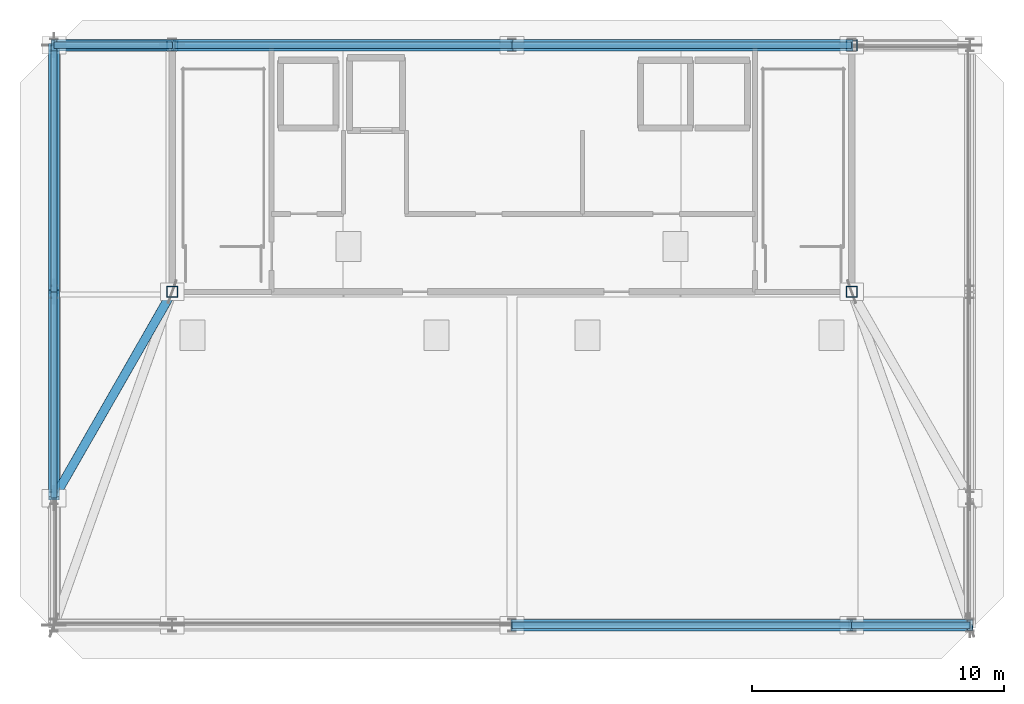
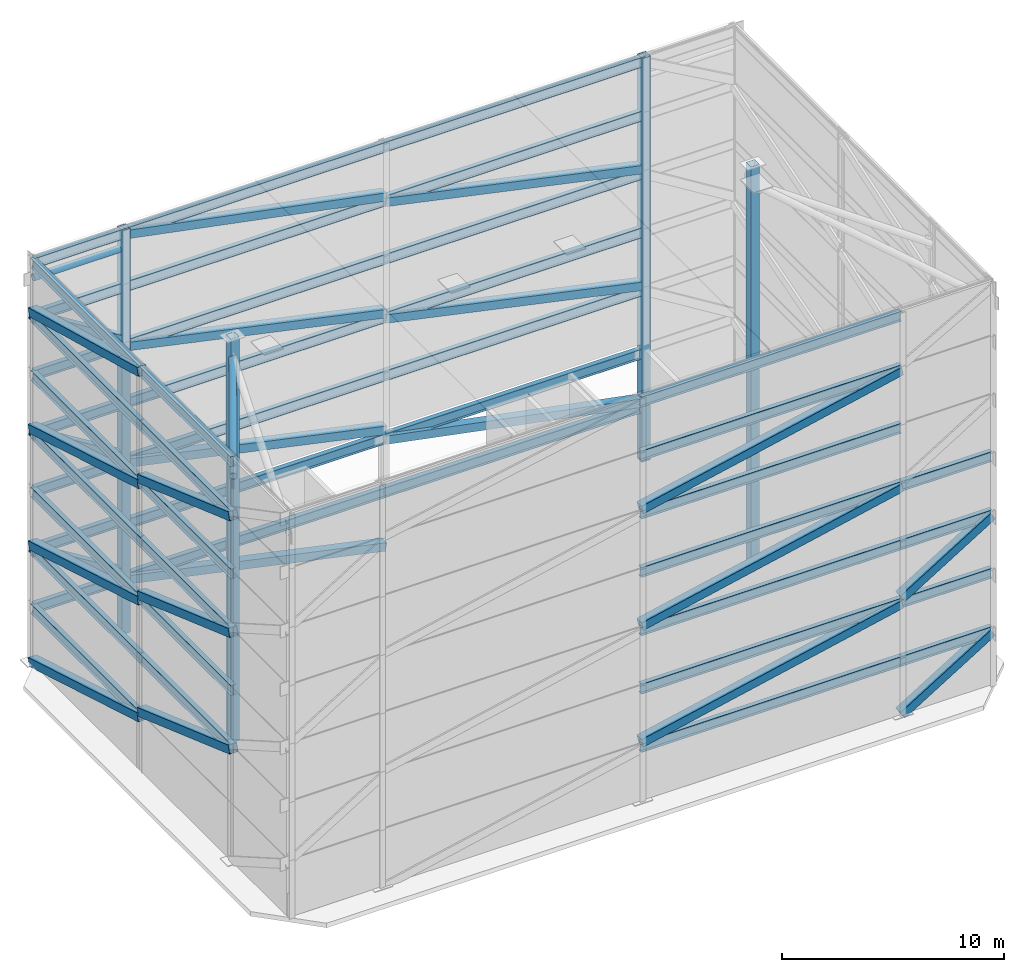
# One storey, part 2 of 8: 45 beams, 28 members.
"""IFC4 building model written with IfcOpenShell, lengths in metres."""

from ifc_helpers import new_model, si_unit, direction, frame, origin, origin_2d, place, context, subcontext, project, spatial, hollow_rectangle, hollow_circle, i_section, extrude, material, material_profile, profile_set, type_object, element, save


model = new_model("IFC4")

# Units and contexts
model_context = context("Model", 3, precision=1e-05, world=origin(), true_north=direction((0.0, 1.0)))
body_context = subcontext(model_context, "Body", "Model", "MODEL_VIEW")
ifc_project = project(units=[si_unit("LENGTHUNIT", "METRE"), si_unit("AREAUNIT", "SQUARE_METRE"), si_unit("VOLUMEUNIT", "CUBIC_METRE"), si_unit("PLANEANGLEUNIT", "RADIAN"), si_unit("MASSUNIT", "GRAM", prefix="KILO")], contexts=[model_context])

# Site, building, storey
site_placement = place(None, origin())
site = spatial("IfcSite", under=ifc_project, at=site_placement, CompositionType="ELEMENT")
building_placement = place(site_placement, origin())
building = spatial("IfcBuilding", under=site, at=building_placement, Name="Haevon Station Towers", CompositionType="ELEMENT")
storey_placement = place(building_placement, frame((0.0, 0.0, 270.0)))
storey = spatial("IfcBuildingStorey", under=building, at=storey_placement, Name="Roof", CompositionType="ELEMENT", Elevation=270.0)

# Beams
ifc_material = material(Name="Steel S355", Category="steel")
ifc_material_profile_1 = material_profile(ifc_material, i_section(OverallWidth=0.25, OverallDepth=0.550048828125, WebThickness=0.011962890625, FlangeThickness=0.02001953125, at=origin_2d()), Name="H-550x250x12x20")
ifc_profile_set_1 = profile_set([ifc_material_profile_1], Name="Steel S355")
beam_type = type_object("IfcBeamType", Name="BM-CRN550", PredefinedType="BEAM", material=ifc_profile_set_1)
beam_1_placement = place(storey_placement, frame((37.5, 24.949951171875, 2.925048828125), z_axis=(1.0, 0.0, 0.0), x_axis=(0.0, 1.0, 0.0)))
element("IfcBeam", 1, at=beam_1_placement, inside=storey, type_object=beam_type, Name="CROWN FRAME Ring Beam T1-03", PredefinedType="BEAM", context=body_context, shape_type="SweptSolid", body=[
    extrude(i_section(OverallWidth=0.25, OverallDepth=0.550048828125, WebThickness=0.011962890625, FlangeThickness=0.02001953125, at=origin_2d()), origin(), (0.0, 0.0, 1.0), 13.5),
])
beam_2_placement = place(storey_placement, frame((51.0, 24.949951171875, 2.925048828125), z_axis=(1.0, 0.0, 0.0), x_axis=(0.0, 1.0, 0.0)))
element("IfcBeam", 2, at=beam_2_placement, inside=storey, type_object=beam_type, Name="CROWN FRAME Ring Beam T1-04", PredefinedType="BEAM", context=body_context, shape_type="SweptSolid", body=[
    extrude(i_section(OverallWidth=0.25, OverallDepth=0.550048828125, WebThickness=0.011962890625, FlangeThickness=0.02001953125, at=origin_2d()), origin(), (0.0, 0.0, 1.0), 4.699951171875),
])
for number, where, z_axis, x_axis, name in (
    (3, (51.0, 48.0, 2.925048828125), (-1.0, 0.0, 0.0), (0.0, -1.0, 0.0), "CROWN FRAME Ring Beam T1-09"),
    (4, (37.5, 48.0, 2.925048828125), (-1.0, 0.0, 0.0), (0.0, -1.0, 0.0), "CROWN FRAME Ring Beam T1-10"),
):
    element("IfcBeam", number, at=place(storey_placement, frame(where, z_axis=z_axis, x_axis=x_axis)), inside=storey, type_object=beam_type, Name=name, PredefinedType="BEAM", context=body_context, shape_type="SweptSolid", body=[
        extrude(i_section(OverallWidth=0.25, OverallDepth=0.550048828125, WebThickness=0.011962890625, FlangeThickness=0.02001953125, at=origin_2d()), origin(), (0.0, 0.0, 1.0), 13.5),
    ])
beam_3_placement = place(storey_placement, frame((24.0, 48.0, 2.925048828125), z_axis=(-1.0, 0.0, 0.0), x_axis=(0.0, -1.0, 0.0)))
element("IfcBeam", 5, at=beam_3_placement, inside=storey, type_object=beam_type, Name="CROWN FRAME Ring Beam T1-11", PredefinedType="BEAM", context=body_context, shape_type="SweptSolid", body=[
    extrude(i_section(OverallWidth=0.25, OverallDepth=0.550048828125, WebThickness=0.011962890625, FlangeThickness=0.02001953125, at=origin_2d()), origin(), (0.0, 0.0, 1.0), 4.699951171875),
])
beam_4_placement = place(storey_placement, frame((19.300048828125, 48.0, 2.925048828125), z_axis=(0.0, -1.0, 0.0), x_axis=(1.0, 0.0, 0.0)))
element("IfcBeam", 6, at=beam_4_placement, inside=storey, type_object=beam_type, Name="CROWN FRAME Ring Beam T1-12", PredefinedType="BEAM", context=body_context, shape_type="SweptSolid", body=[
    extrude(i_section(OverallWidth=0.25, OverallDepth=0.550048828125, WebThickness=0.011962890625, FlangeThickness=0.02001953125, at=origin_2d()), origin(), (0.0, 0.0, 1.0), 9.800048828125),
])
beam_5_placement = place(storey_placement, frame((37.5, 24.949951171875, 6.125), z_axis=(1.0, 0.0, 0.0), x_axis=(0.0, 1.0, 0.0)))
element("IfcBeam", 7, at=beam_5_placement, inside=storey, type_object=beam_type, Name="CROWN FRAME Ring Beam T2-03", PredefinedType="BEAM", context=body_context, shape_type="SweptSolid", body=[
    extrude(i_section(OverallWidth=0.25, OverallDepth=0.550048828125, WebThickness=0.011962890625, FlangeThickness=0.02001953125, at=origin_2d()), origin(), (0.0, 0.0, 1.0), 13.5),
])
beam_6_placement = place(storey_placement, frame((51.0, 24.949951171875, 6.125), z_axis=(1.0, 0.0, 0.0), x_axis=(0.0, 1.0, 0.0)))
element("IfcBeam", 8, at=beam_6_placement, inside=storey, type_object=beam_type, Name="CROWN FRAME Ring Beam T2-04", PredefinedType="BEAM", context=body_context, shape_type="SweptSolid", body=[
    extrude(i_section(OverallWidth=0.25, OverallDepth=0.550048828125, WebThickness=0.011962890625, FlangeThickness=0.02001953125, at=origin_2d()), origin(), (0.0, 0.0, 1.0), 4.699951171875),
])
for number, where, z_axis, x_axis, name in (
    (9, (51.0, 48.0, 5.875), (-1.0, 0.0, 0.0), (0.0, -1.0, 0.0), "CROWN FRAME Ring Beam T2-09"),
    (10, (37.5, 48.0, 5.875), (-1.0, 0.0, 0.0), (0.0, -1.0, 0.0), "CROWN FRAME Ring Beam T2-10"),
):
    element("IfcBeam", number, at=place(storey_placement, frame(where, z_axis=z_axis, x_axis=x_axis)), inside=storey, type_object=beam_type, Name=name, PredefinedType="BEAM", context=body_context, shape_type="SweptSolid", body=[
        extrude(i_section(OverallWidth=0.25, OverallDepth=0.550048828125, WebThickness=0.011962890625, FlangeThickness=0.02001953125, at=origin_2d()), origin(), (0.0, 0.0, 1.0), 13.5),
    ])
beam_7_placement = place(storey_placement, frame((24.0, 48.0, 6.125), z_axis=(-1.0, 0.0, 0.0), x_axis=(0.0, -1.0, 0.0)))
element("IfcBeam", 11, at=beam_7_placement, inside=storey, type_object=beam_type, Name="CROWN FRAME Ring Beam T2-11", PredefinedType="BEAM", context=body_context, shape_type="SweptSolid", body=[
    extrude(i_section(OverallWidth=0.25, OverallDepth=0.550048828125, WebThickness=0.011962890625, FlangeThickness=0.02001953125, at=origin_2d()), origin(), (0.0, 0.0, 1.0), 4.699951171875),
])
beam_8_placement = place(storey_placement, frame((19.300048828125, 48.0, 6.125), z_axis=(0.0, -1.0, 0.0), x_axis=(1.0, 0.0, 0.0)))
element("IfcBeam", 12, at=beam_8_placement, inside=storey, type_object=beam_type, Name="CROWN FRAME Ring Beam T2-12", PredefinedType="BEAM", context=body_context, shape_type="SweptSolid", body=[
    extrude(i_section(OverallWidth=0.25, OverallDepth=0.550048828125, WebThickness=0.011962890625, FlangeThickness=0.02001953125, at=origin_2d()), origin(), (0.0, 0.0, 1.0), 9.800048828125),
])
beam_9_placement = place(storey_placement, frame((19.300048828125, 38.199951171875, 6.125), z_axis=(0.0, -1.0, 0.0), x_axis=(1.0, 0.0, 0.0)))
element("IfcBeam", 13, at=beam_9_placement, inside=storey, type_object=beam_type, Name="CROWN FRAME Ring Beam T2-13", PredefinedType="BEAM", context=body_context, shape_type="SweptSolid", body=[
    extrude(i_section(OverallWidth=0.25, OverallDepth=0.550048828125, WebThickness=0.011962890625, FlangeThickness=0.02001953125, at=origin_2d()), origin(), (0.0, 0.0, 1.0), 8.199951171875),
])
beam_10_placement = place(storey_placement, frame((37.5, 24.949951171875, 9.324951171875), z_axis=(1.0, 0.0, 0.0), x_axis=(0.0, 1.0, 0.0)))
element("IfcBeam", 14, at=beam_10_placement, inside=storey, type_object=beam_type, Name="CROWN FRAME Ring Beam T3-03", PredefinedType="BEAM", context=body_context, shape_type="SweptSolid", body=[
    extrude(i_section(OverallWidth=0.25, OverallDepth=0.550048828125, WebThickness=0.011962890625, FlangeThickness=0.02001953125, at=origin_2d()), origin(), (0.0, 0.0, 1.0), 13.5),
])
beam_11_placement = place(storey_placement, frame((51.0, 24.949951171875, 9.324951171875), z_axis=(1.0, 0.0, 0.0), x_axis=(0.0, 1.0, 0.0)))
element("IfcBeam", 15, at=beam_11_placement, inside=storey, type_object=beam_type, Name="CROWN FRAME Ring Beam T3-04", PredefinedType="BEAM", context=body_context, shape_type="SweptSolid", body=[
    extrude(i_section(OverallWidth=0.25, OverallDepth=0.550048828125, WebThickness=0.011962890625, FlangeThickness=0.02001953125, at=origin_2d()), origin(), (0.0, 0.0, 1.0), 4.699951171875),
])
for number, where, z_axis, x_axis, name in (
    (16, (51.0, 48.0, 9.324951171875), (-1.0, 0.0, 0.0), (0.0, -1.0, 0.0), "CROWN FRAME Ring Beam T3-09"),
    (17, (37.5, 48.0, 9.324951171875), (-1.0, 0.0, 0.0), (0.0, -1.0, 0.0), "CROWN FRAME Ring Beam T3-10"),
):
    element("IfcBeam", number, at=place(storey_placement, frame(where, z_axis=z_axis, x_axis=x_axis)), inside=storey, type_object=beam_type, Name=name, PredefinedType="BEAM", context=body_context, shape_type="SweptSolid", body=[
        extrude(i_section(OverallWidth=0.25, OverallDepth=0.550048828125, WebThickness=0.011962890625, FlangeThickness=0.02001953125, at=origin_2d()), origin(), (0.0, 0.0, 1.0), 13.5),
    ])
beam_12_placement = place(storey_placement, frame((24.0, 48.0, 9.324951171875), z_axis=(-1.0, 0.0, 0.0), x_axis=(0.0, -1.0, 0.0)))
element("IfcBeam", 18, at=beam_12_placement, inside=storey, type_object=beam_type, Name="CROWN FRAME Ring Beam T3-11", PredefinedType="BEAM", context=body_context, shape_type="SweptSolid", body=[
    extrude(i_section(OverallWidth=0.25, OverallDepth=0.550048828125, WebThickness=0.011962890625, FlangeThickness=0.02001953125, at=origin_2d()), origin(), (0.0, 0.0, 1.0), 4.699951171875),
])
beam_13_placement = place(storey_placement, frame((19.300048828125, 48.0, 9.324951171875), z_axis=(0.0, -1.0, 0.0), x_axis=(1.0, 0.0, 0.0)))
element("IfcBeam", 19, at=beam_13_placement, inside=storey, type_object=beam_type, Name="CROWN FRAME Ring Beam T3-12", PredefinedType="BEAM", context=body_context, shape_type="SweptSolid", body=[
    extrude(i_section(OverallWidth=0.25, OverallDepth=0.550048828125, WebThickness=0.011962890625, FlangeThickness=0.02001953125, at=origin_2d()), origin(), (0.0, 0.0, 1.0), 9.800048828125),
])
beam_14_placement = place(storey_placement, frame((19.300048828125, 38.199951171875, 9.324951171875), z_axis=(0.0, -1.0, 0.0), x_axis=(1.0, 0.0, 0.0)))
element("IfcBeam", 20, at=beam_14_placement, inside=storey, type_object=beam_type, Name="CROWN FRAME Ring Beam T3-13", PredefinedType="BEAM", context=body_context, shape_type="SweptSolid", body=[
    extrude(i_section(OverallWidth=0.25, OverallDepth=0.550048828125, WebThickness=0.011962890625, FlangeThickness=0.02001953125, at=origin_2d()), origin(), (0.0, 0.0, 1.0), 8.199951171875),
])
beam_15_placement = place(storey_placement, frame((37.5, 24.949951171875, 12.52490234375), z_axis=(1.0, 0.0, 0.0), x_axis=(0.0, 1.0, 0.0)))
element("IfcBeam", 21, at=beam_15_placement, inside=storey, type_object=beam_type, Name="CROWN FRAME Ring Beam T4-03", PredefinedType="BEAM", context=body_context, shape_type="SweptSolid", body=[
    extrude(i_section(OverallWidth=0.25, OverallDepth=0.550048828125, WebThickness=0.011962890625, FlangeThickness=0.02001953125, at=origin_2d()), origin(), (0.0, 0.0, 1.0), 13.5),
])
beam_16_placement = place(storey_placement, frame((51.0, 24.949951171875, 12.52490234375), z_axis=(1.0, 0.0, 0.0), x_axis=(0.0, 1.0, 0.0)))
element("IfcBeam", 22, at=beam_16_placement, inside=storey, type_object=beam_type, Name="CROWN FRAME Ring Beam T4-04", PredefinedType="BEAM", context=body_context, shape_type="SweptSolid", body=[
    extrude(i_section(OverallWidth=0.25, OverallDepth=0.550048828125, WebThickness=0.011962890625, FlangeThickness=0.02001953125, at=origin_2d()), origin(), (0.0, 0.0, 1.0), 4.699951171875),
])
for number, where, z_axis, x_axis, name in (
    (23, (51.0, 48.0, 12.52490234375), (-1.0, 0.0, 0.0), (0.0, -1.0, 0.0), "CROWN FRAME Ring Beam T4-09"),
    (24, (37.5, 48.0, 12.52490234375), (-1.0, 0.0, 0.0), (0.0, -1.0, 0.0), "CROWN FRAME Ring Beam T4-10"),
):
    element("IfcBeam", number, at=place(storey_placement, frame(where, z_axis=z_axis, x_axis=x_axis)), inside=storey, type_object=beam_type, Name=name, PredefinedType="BEAM", context=body_context, shape_type="SweptSolid", body=[
        extrude(i_section(OverallWidth=0.25, OverallDepth=0.550048828125, WebThickness=0.011962890625, FlangeThickness=0.02001953125, at=origin_2d()), origin(), (0.0, 0.0, 1.0), 13.5),
    ])
beam_17_placement = place(storey_placement, frame((24.0, 48.0, 12.52490234375), z_axis=(-1.0, 0.0, 0.0), x_axis=(0.0, -1.0, 0.0)))
element("IfcBeam", 25, at=beam_17_placement, inside=storey, type_object=beam_type, Name="CROWN FRAME Ring Beam T4-11", PredefinedType="BEAM", context=body_context, shape_type="SweptSolid", body=[
    extrude(i_section(OverallWidth=0.25, OverallDepth=0.550048828125, WebThickness=0.011962890625, FlangeThickness=0.02001953125, at=origin_2d()), origin(), (0.0, 0.0, 1.0), 4.699951171875),
])
beam_18_placement = place(storey_placement, frame((19.300048828125, 48.0, 12.52490234375), z_axis=(0.0, -1.0, 0.0), x_axis=(1.0, 0.0, 0.0)))
element("IfcBeam", 26, at=beam_18_placement, inside=storey, type_object=beam_type, Name="CROWN FRAME Ring Beam T4-12", PredefinedType="BEAM", context=body_context, shape_type="SweptSolid", body=[
    extrude(i_section(OverallWidth=0.25, OverallDepth=0.550048828125, WebThickness=0.011962890625, FlangeThickness=0.02001953125, at=origin_2d()), origin(), (0.0, 0.0, 1.0), 9.800048828125),
])
beam_19_placement = place(storey_placement, frame((19.300048828125, 38.199951171875, 12.52490234375), z_axis=(0.0, -1.0, 0.0), x_axis=(1.0, 0.0, 0.0)))
element("IfcBeam", 27, at=beam_19_placement, inside=storey, type_object=beam_type, Name="CROWN FRAME Ring Beam T4-13", PredefinedType="BEAM", context=body_context, shape_type="SweptSolid", body=[
    extrude(i_section(OverallWidth=0.25, OverallDepth=0.550048828125, WebThickness=0.011962890625, FlangeThickness=0.02001953125, at=origin_2d()), origin(), (0.0, 0.0, 1.0), 8.199951171875),
])
for number, where, z_axis, x_axis, name in (
    (28, (37.5, 24.949951171875, 15.72509765625), (1.0, 0.0, 0.0), (0.0, 1.0, 0.0), "CROWN FRAME Ring Beam T5-03"),
    (29, (51.0, 48.0, 15.72509765625), (-1.0, 0.0, 0.0), (0.0, -1.0, 0.0), "CROWN FRAME Ring Beam T5-09"),
    (30, (37.5, 48.0, 15.72509765625), (-1.0, 0.0, 0.0), (0.0, -1.0, 0.0), "CROWN FRAME Ring Beam T5-10"),
):
    element("IfcBeam", number, at=place(storey_placement, frame(where, z_axis=z_axis, x_axis=x_axis)), inside=storey, type_object=beam_type, Name=name, PredefinedType="BEAM", context=body_context, shape_type="SweptSolid", body=[
        extrude(i_section(OverallWidth=0.25, OverallDepth=0.550048828125, WebThickness=0.011962890625, FlangeThickness=0.02001953125, at=origin_2d()), origin(), (0.0, 0.0, 1.0), 13.5),
    ])
beam_20_placement = place(storey_placement, frame((24.0, 48.0, 15.72509765625), z_axis=(-1.0, 0.0, 0.0), x_axis=(0.0, -1.0, 0.0)))
element("IfcBeam", 31, at=beam_20_placement, inside=storey, type_object=beam_type, Name="CROWN FRAME Ring Beam T5-11", PredefinedType="BEAM", context=body_context, shape_type="SweptSolid", body=[
    extrude(i_section(OverallWidth=0.25, OverallDepth=0.550048828125, WebThickness=0.011962890625, FlangeThickness=0.02001953125, at=origin_2d()), origin(), (0.0, 0.0, 1.0), 4.699951171875),
])
beam_21_placement = place(storey_placement, frame((19.300048828125, 48.0, 15.72509765625), z_axis=(0.0, -1.0, 0.0), x_axis=(1.0, 0.0, 0.0)))
element("IfcBeam", 32, at=beam_21_placement, inside=storey, type_object=beam_type, Name="CROWN FRAME Ring Beam T5-12", PredefinedType="BEAM", context=body_context, shape_type="SweptSolid", body=[
    extrude(i_section(OverallWidth=0.25, OverallDepth=0.550048828125, WebThickness=0.011962890625, FlangeThickness=0.02001953125, at=origin_2d()), origin(), (0.0, 0.0, 1.0), 9.800048828125),
])
beam_22_placement = place(storey_placement, frame((19.300048828125, 38.199951171875, 15.72509765625), z_axis=(0.0, -1.0, 0.0), x_axis=(1.0, 0.0, 0.0)))
element("IfcBeam", 33, at=beam_22_placement, inside=storey, type_object=beam_type, Name="CROWN FRAME Ring Beam T5-13", PredefinedType="BEAM", context=body_context, shape_type="SweptSolid", body=[
    extrude(i_section(OverallWidth=0.25, OverallDepth=0.550048828125, WebThickness=0.011962890625, FlangeThickness=0.02001953125, at=origin_2d()), origin(), (0.0, 0.0, 1.0), 8.199951171875),
])
for number, where, z_axis, x_axis, name in (
    (34, (37.5, 24.949951171875, 18.925048828125), (1.0, 0.0, 0.0), (0.0, 1.0, 0.0), "CROWN FRAME Ring Beam T6-03"),
    (35, (51.0, 48.0, 18.925048828125), (-1.0, 0.0, 0.0), (0.0, -1.0, 0.0), "CROWN FRAME Ring Beam T6-09"),
    (36, (37.5, 48.0, 18.925048828125), (-1.0, 0.0, 0.0), (0.0, -1.0, 0.0), "CROWN FRAME Ring Beam T6-10"),
):
    element("IfcBeam", number, at=place(storey_placement, frame(where, z_axis=z_axis, x_axis=x_axis)), inside=storey, type_object=beam_type, Name=name, PredefinedType="BEAM", context=body_context, shape_type="SweptSolid", body=[
        extrude(i_section(OverallWidth=0.25, OverallDepth=0.550048828125, WebThickness=0.011962890625, FlangeThickness=0.02001953125, at=origin_2d()), origin(), (0.0, 0.0, 1.0), 13.5),
    ])
beam_23_placement = place(storey_placement, frame((24.0, 48.0, 18.925048828125), z_axis=(-1.0, 0.0, 0.0), x_axis=(0.0, -1.0, 0.0)))
element("IfcBeam", 37, at=beam_23_placement, inside=storey, type_object=beam_type, Name="CROWN FRAME Ring Beam T6-11", PredefinedType="BEAM", context=body_context, shape_type="SweptSolid", body=[
    extrude(i_section(OverallWidth=0.25, OverallDepth=0.550048828125, WebThickness=0.011962890625, FlangeThickness=0.02001953125, at=origin_2d()), origin(), (0.0, 0.0, 1.0), 4.699951171875),
])
beam_24_placement = place(storey_placement, frame((19.300048828125, 48.0, 18.925048828125), z_axis=(0.0, -1.0, 0.0), x_axis=(1.0, 0.0, 0.0)))
element("IfcBeam", 38, at=beam_24_placement, inside=storey, type_object=beam_type, Name="CROWN FRAME Ring Beam T6-12", PredefinedType="BEAM", context=body_context, shape_type="SweptSolid", body=[
    extrude(i_section(OverallWidth=0.25, OverallDepth=0.550048828125, WebThickness=0.011962890625, FlangeThickness=0.02001953125, at=origin_2d()), origin(), (0.0, 0.0, 1.0), 9.800048828125),
])
beam_25_placement = place(storey_placement, frame((19.300048828125, 38.199951171875, 18.925048828125), z_axis=(0.0, -1.0, 0.0), x_axis=(1.0, 0.0, 0.0)))
element("IfcBeam", 39, at=beam_25_placement, inside=storey, type_object=beam_type, Name="CROWN FRAME Ring Beam T6-13", PredefinedType="BEAM", context=body_context, shape_type="SweptSolid", body=[
    extrude(i_section(OverallWidth=0.25, OverallDepth=0.550048828125, WebThickness=0.011962890625, FlangeThickness=0.02001953125, at=origin_2d()), origin(), (0.0, 0.0, 1.0), 8.199951171875),
])
for number, where, z_axis, x_axis, name in (
    (40, (37.5, 24.949951171875, 21.875), (1.0, 0.0, 0.0), (0.0, 1.0, 0.0), "CROWN FRAME Ring Beam T7-03"),
    (41, (51.0, 48.0, 21.875), (-1.0, 0.0, 0.0), (0.0, -1.0, 0.0), "CROWN FRAME Ring Beam T7-09"),
    (42, (37.5, 48.0, 21.875), (-1.0, 0.0, 0.0), (0.0, -1.0, 0.0), "CROWN FRAME Ring Beam T7-10"),
):
    element("IfcBeam", number, at=place(storey_placement, frame(where, z_axis=z_axis, x_axis=x_axis)), inside=storey, type_object=beam_type, Name=name, PredefinedType="BEAM", context=body_context, shape_type="SweptSolid", body=[
        extrude(i_section(OverallWidth=0.25, OverallDepth=0.550048828125, WebThickness=0.011962890625, FlangeThickness=0.02001953125, at=origin_2d()), origin(), (0.0, 0.0, 1.0), 13.5),
    ])
beam_26_placement = place(storey_placement, frame((24.0, 48.0, 21.875), z_axis=(-1.0, 0.0, 0.0), x_axis=(0.0, -1.0, 0.0)))
element("IfcBeam", 43, at=beam_26_placement, inside=storey, type_object=beam_type, Name="CROWN FRAME Ring Beam T7-11", PredefinedType="BEAM", context=body_context, shape_type="SweptSolid", body=[
    extrude(i_section(OverallWidth=0.25, OverallDepth=0.550048828125, WebThickness=0.011962890625, FlangeThickness=0.02001953125, at=origin_2d()), origin(), (0.0, 0.0, 1.0), 4.699951171875),
])
beam_27_placement = place(storey_placement, frame((19.300048828125, 48.0, 21.875), z_axis=(0.0, -1.0, 0.0), x_axis=(1.0, 0.0, 0.0)))
element("IfcBeam", 44, at=beam_27_placement, inside=storey, type_object=beam_type, Name="CROWN FRAME Ring Beam T7-12", PredefinedType="BEAM", context=body_context, shape_type="SweptSolid", body=[
    extrude(i_section(OverallWidth=0.25, OverallDepth=0.550048828125, WebThickness=0.011962890625, FlangeThickness=0.02001953125, at=origin_2d()), origin(), (0.0, 0.0, 1.0), 9.800048828125),
])
beam_28_placement = place(storey_placement, frame((19.300048828125, 38.199951171875, 21.875), z_axis=(0.0, -1.0, 0.0), x_axis=(1.0, 0.0, 0.0)))
element("IfcBeam", 45, at=beam_28_placement, inside=storey, type_object=beam_type, Name="CROWN FRAME Ring Beam T7-13", PredefinedType="BEAM", context=body_context, shape_type="SweptSolid", body=[
    extrude(i_section(OverallWidth=0.25, OverallDepth=0.550048828125, WebThickness=0.011962890625, FlangeThickness=0.02001953125, at=origin_2d()), origin(), (0.0, 0.0, 1.0), 8.199951171875),
])

# Members
ifc_material_profile_2 = material_profile(ifc_material, hollow_rectangle(XDim=0.449951171875, YDim=0.449951171875, WallThickness=0.02001953125, at=origin_2d()), Name="RHS-450x450x20")
ifc_profile_set_2 = profile_set([ifc_material_profile_2], Name="Steel S355")
member_type_1 = type_object("IfcMemberType", Name="BRCRN-450", PredefinedType="BRACE", material=ifc_profile_set_2)
member_1_placement = place(storey_placement, frame((51.0, 24.949951171875, 0.02001953125), z_axis=(0.851041477109, 0.0, 0.525098470994), x_axis=(0.0, 1.0, 0.0)))
element("IfcMember", 46, at=member_1_placement, inside=storey, type_object=member_type_1, Name="CROWN FRAME Wind Brace T1-04", PredefinedType="BRACE", context=body_context, shape_type="SweptSolid", body=[
    extrude(hollow_rectangle(XDim=0.449951171875, YDim=0.449951171875, WallThickness=0.02001953125, at=origin_2d()), origin(), (0.0, 0.0, 1.0), 5.522705078125),
])
member_2_placement = place(storey_placement, frame((37.5, 48.0, 0.02001953125), z_axis=(-0.977697757885, 0.0, 0.210016890338), x_axis=(0.0, -1.0, 0.0)))
element("IfcMember", 47, at=member_2_placement, inside=storey, type_object=member_type_1, Name="CROWN FRAME Wind Brace T1-10", PredefinedType="BRACE", context=body_context, shape_type="SweptSolid", body=[
    extrude(hollow_rectangle(XDim=0.449951171875, YDim=0.449951171875, WallThickness=0.02001953125, at=origin_2d()), origin(), (0.0, 0.0, 1.0), 13.807861328125),
])
member_3_placement = place(storey_placement, frame((19.300048828125, 48.0, 0.02001953125), z_axis=(0.0, -0.958899749708, 0.283745079271), x_axis=(1.0, 0.0, 0.0)))
element("IfcMember", 48, at=member_3_placement, inside=storey, type_object=member_type_1, Name="CROWN FRAME Wind Brace T1-12", PredefinedType="BRACE", context=body_context, shape_type="SweptSolid", body=[
    extrude(hollow_rectangle(XDim=0.449951171875, YDim=0.449951171875, WallThickness=0.02001953125, at=origin_2d()), origin(), (0.0, 0.0, 1.0), 10.22021484375),
])
member_4_placement = place(storey_placement, frame((37.5, 24.949951171875, 3.219970703125), z_axis=(0.977694127224, 0.0, 0.210033791545), x_axis=(0.0, 1.0, 0.0)))
element("IfcMember", 49, at=member_4_placement, inside=storey, type_object=member_type_1, Name="CROWN FRAME Wind Brace T2-03", PredefinedType="BRACE", context=body_context, shape_type="SweptSolid", body=[
    extrude(hollow_rectangle(XDim=0.449951171875, YDim=0.449951171875, WallThickness=0.02001953125, at=origin_2d()), origin(), (0.0, 0.0, 1.0), 13.80810546875),
])
member_5_placement = place(storey_placement, frame((51.0, 48.0, 3.219970703125), z_axis=(-0.981271348846, 0.0, 0.192630578916), x_axis=(0.0, -1.0, 0.0)))
element("IfcMember", 50, at=member_5_placement, inside=storey, type_object=member_type_1, Name="CROWN FRAME Wind Brace T2-09", PredefinedType="BRACE", context=body_context, shape_type="SweptSolid", body=[
    extrude(hollow_rectangle(XDim=0.449951171875, YDim=0.449951171875, WallThickness=0.02001953125, at=origin_2d()), origin(), (0.0, 0.0, 1.0), 13.757568359375),
])
member_6_placement = place(storey_placement, frame((24.0, 48.0, 3.219970703125), z_axis=(-0.851021721425, 0.0, 0.525130488224), x_axis=(0.0, -1.0, 0.0)))
element("IfcMember", 51, at=member_6_placement, inside=storey, type_object=member_type_1, Name="CROWN FRAME Wind Brace T2-11", PredefinedType="BRACE", context=body_context, shape_type="SweptSolid", body=[
    extrude(hollow_rectangle(XDim=0.449951171875, YDim=0.449951171875, WallThickness=0.02001953125, at=origin_2d()), origin(), (0.0, 0.0, 1.0), 5.522705078125),
])
member_7_placement = place(storey_placement, frame((19.300048828125, 38.199951171875, 3.219970703125), z_axis=(0.0, -0.942771965811, 0.333438180899), x_axis=(1.0, 0.0, 0.0)))
element("IfcMember", 52, at=member_7_placement, inside=storey, type_object=member_type_1, Name="CROWN FRAME Wind Brace T2-13", PredefinedType="BRACE", context=body_context, shape_type="SweptSolid", body=[
    extrude(hollow_rectangle(XDim=0.449951171875, YDim=0.449951171875, WallThickness=0.02001953125, at=origin_2d()), origin(), (0.0, 0.0, 1.0), 8.69775390625),
])
member_8_placement = place(storey_placement, frame((51.0, 24.949951171875, 6.419921875), z_axis=(0.851021721425, 0.0, 0.525130488224), x_axis=(0.0, 1.0, 0.0)))
element("IfcMember", 53, at=member_8_placement, inside=storey, type_object=member_type_1, Name="CROWN FRAME Wind Brace T3-04", PredefinedType="BRACE", context=body_context, shape_type="SweptSolid", body=[
    extrude(hollow_rectangle(XDim=0.449951171875, YDim=0.449951171875, WallThickness=0.02001953125, at=origin_2d()), origin(), (0.0, 0.0, 1.0), 5.522705078125),
])
member_9_placement = place(storey_placement, frame((37.5, 48.0, 6.419921875), z_axis=(-0.977694127224, 0.0, 0.210033791545), x_axis=(0.0, -1.0, 0.0)))
element("IfcMember", 54, at=member_9_placement, inside=storey, type_object=member_type_1, Name="CROWN FRAME Wind Brace T3-10", PredefinedType="BRACE", context=body_context, shape_type="SweptSolid", body=[
    extrude(hollow_rectangle(XDim=0.449951171875, YDim=0.449951171875, WallThickness=0.02001953125, at=origin_2d()), origin(), (0.0, 0.0, 1.0), 13.80810546875),
])
member_10_placement = place(storey_placement, frame((19.300048828125, 48.0, 6.419921875), z_axis=(0.0, -0.958893249901, 0.283767044059), x_axis=(1.0, 0.0, 0.0)))
element("IfcMember", 55, at=member_10_placement, inside=storey, type_object=member_type_1, Name="CROWN FRAME Wind Brace T3-12", PredefinedType="BRACE", context=body_context, shape_type="SweptSolid", body=[
    extrude(hollow_rectangle(XDim=0.449951171875, YDim=0.449951171875, WallThickness=0.02001953125, at=origin_2d()), origin(), (0.0, 0.0, 1.0), 10.22021484375),
])
for number, where, z_axis, x_axis, name in (
    (56, (37.5, 24.949951171875, 9.6201171875), (0.977697757885, 0.0, 0.210016890338), (0.0, 1.0, 0.0), "CROWN FRAME Wind Brace T4-03"),
    (57, (51.0, 48.0, 9.6201171875), (-0.977697757885, 0.0, 0.210016890338), (0.0, -1.0, 0.0), "CROWN FRAME Wind Brace T4-09"),
):
    element("IfcMember", number, at=place(storey_placement, frame(where, z_axis=z_axis, x_axis=x_axis)), inside=storey, type_object=member_type_1, Name=name, PredefinedType="BRACE", context=body_context, shape_type="SweptSolid", body=[
        extrude(hollow_rectangle(XDim=0.449951171875, YDim=0.449951171875, WallThickness=0.02001953125, at=origin_2d()), origin(), (0.0, 0.0, 1.0), 13.807861328125),
    ])
member_11_placement = place(storey_placement, frame((24.0, 48.0, 9.6201171875), z_axis=(-0.851041477109, 0.0, 0.525098470994), x_axis=(0.0, -1.0, 0.0)))
element("IfcMember", 58, at=member_11_placement, inside=storey, type_object=member_type_1, Name="CROWN FRAME Wind Brace T4-11", PredefinedType="BRACE", context=body_context, shape_type="SweptSolid", body=[
    extrude(hollow_rectangle(XDim=0.449951171875, YDim=0.449951171875, WallThickness=0.02001953125, at=origin_2d()), origin(), (0.0, 0.0, 1.0), 5.522705078125),
])
member_12_placement = place(storey_placement, frame((19.300048828125, 38.199951171875, 9.6201171875), z_axis=(0.0, -0.942780789399, 0.333413231801), x_axis=(1.0, 0.0, 0.0)))
element("IfcMember", 59, at=member_12_placement, inside=storey, type_object=member_type_1, Name="CROWN FRAME Wind Brace T4-13", PredefinedType="BRACE", context=body_context, shape_type="SweptSolid", body=[
    extrude(hollow_rectangle(XDim=0.449951171875, YDim=0.449951171875, WallThickness=0.02001953125, at=origin_2d()), origin(), (0.0, 0.0, 1.0), 8.697509765625),
])
member_13_placement = place(storey_placement, frame((37.5, 48.0, 12.820068359375), z_axis=(-0.977697757885, 0.0, 0.210016890338), x_axis=(0.0, -1.0, 0.0)))
element("IfcMember", 60, at=member_13_placement, inside=storey, type_object=member_type_1, Name="CROWN FRAME Wind Brace T5-10", PredefinedType="BRACE", context=body_context, shape_type="SweptSolid", body=[
    extrude(hollow_rectangle(XDim=0.449951171875, YDim=0.449951171875, WallThickness=0.02001953125, at=origin_2d()), origin(), (0.0, 0.0, 1.0), 13.807861328125),
])
member_14_placement = place(storey_placement, frame((19.300048828125, 48.0, 12.820068359375), z_axis=(0.0, -0.958899749708, 0.283745079271), x_axis=(1.0, 0.0, 0.0)))
element("IfcMember", 61, at=member_14_placement, inside=storey, type_object=member_type_1, Name="CROWN FRAME Wind Brace T5-12", PredefinedType="BRACE", context=body_context, shape_type="SweptSolid", body=[
    extrude(hollow_rectangle(XDim=0.449951171875, YDim=0.449951171875, WallThickness=0.02001953125, at=origin_2d()), origin(), (0.0, 0.0, 1.0), 10.22021484375),
])
for number, where, z_axis, x_axis, name in (
    (62, (37.5, 24.949951171875, 16.02001953125), (0.977697757885, 0.0, 0.210016890338), (0.0, 1.0, 0.0), "CROWN FRAME Wind Brace T6-03"),
    (63, (51.0, 48.0, 16.02001953125), (-0.977697757885, 0.0, 0.210016890338), (0.0, -1.0, 0.0), "CROWN FRAME Wind Brace T6-09"),
):
    element("IfcMember", number, at=place(storey_placement, frame(where, z_axis=z_axis, x_axis=x_axis)), inside=storey, type_object=member_type_1, Name=name, PredefinedType="BRACE", context=body_context, shape_type="SweptSolid", body=[
        extrude(hollow_rectangle(XDim=0.449951171875, YDim=0.449951171875, WallThickness=0.02001953125, at=origin_2d()), origin(), (0.0, 0.0, 1.0), 13.807861328125),
    ])
member_15_placement = place(storey_placement, frame((24.0, 48.0, 16.02001953125), z_axis=(-0.851041477109, 0.0, 0.525098470994), x_axis=(0.0, -1.0, 0.0)))
element("IfcMember", 64, at=member_15_placement, inside=storey, type_object=member_type_1, Name="CROWN FRAME Wind Brace T6-11", PredefinedType="BRACE", context=body_context, shape_type="SweptSolid", body=[
    extrude(hollow_rectangle(XDim=0.449951171875, YDim=0.449951171875, WallThickness=0.02001953125, at=origin_2d()), origin(), (0.0, 0.0, 1.0), 5.522705078125),
])
member_16_placement = place(storey_placement, frame((19.300048828125, 38.199951171875, 16.02001953125), z_axis=(0.0, -0.942780789399, 0.333413231801), x_axis=(1.0, 0.0, 0.0)))
element("IfcMember", 65, at=member_16_placement, inside=storey, type_object=member_type_1, Name="CROWN FRAME Wind Brace T6-13", PredefinedType="BRACE", context=body_context, shape_type="SweptSolid", body=[
    extrude(hollow_rectangle(XDim=0.449951171875, YDim=0.449951171875, WallThickness=0.02001953125, at=origin_2d()), origin(), (0.0, 0.0, 1.0), 8.697509765625),
])
member_17_placement = place(storey_placement, frame((37.5, 48.0, 19.219970703125), z_axis=(-0.981271348846, 0.0, 0.192630578916), x_axis=(0.0, -1.0, 0.0)))
element("IfcMember", 66, at=member_17_placement, inside=storey, type_object=member_type_1, Name="CROWN FRAME Wind Brace T7-10", PredefinedType="BRACE", context=body_context, shape_type="SweptSolid", body=[
    extrude(hollow_rectangle(XDim=0.449951171875, YDim=0.449951171875, WallThickness=0.02001953125, at=origin_2d()), origin(), (0.0, 0.0, 1.0), 13.757568359375),
])
member_18_placement = place(storey_placement, frame((19.300048828125, 48.0, 19.219970703125), z_axis=(0.0, -0.965326549586, 0.261045307684), x_axis=(1.0, 0.0, 0.0)))
element("IfcMember", 67, at=member_18_placement, inside=storey, type_object=member_type_1, Name="CROWN FRAME Wind Brace T7-12", PredefinedType="BRACE", context=body_context, shape_type="SweptSolid", body=[
    extrude(hollow_rectangle(XDim=0.449951171875, YDim=0.449951171875, WallThickness=0.02001953125, at=origin_2d()), origin(), (0.0, 0.0, 1.0), 10.152099609375),
])
ifc_material_profile_3 = material_profile(ifc_material, hollow_rectangle(XDim=0.449951171875, YDim=0.449951171875, WallThickness=0.02001953125, at=origin_2d()), Name="RHS-450x450x20")
ifc_profile_set_3 = profile_set([ifc_material_profile_3], Name="Steel S355")
member_type_2 = type_object("IfcMemberType", Name="PSCRN-450", PredefinedType="POST", material=ifc_profile_set_3)
for number, where, z_axis, x_axis, name in (
    (68, (24.0, 38.199951171875, 0.0), (0.0, 0.0, 1.0), (1.0, 0.0, 0.0), "CROWN FRAME Interior Post 1"),
    (69, (51.0, 38.199951171875, 0.0), (0.0, 0.0, 1.0), (1.0, 0.0, 0.0), "CROWN FRAME Interior Post 2"),
    (70, (51.0, 48.0, 0.0), (0.0, 0.0, 1.0), (1.0, 0.0, 0.0), "CROWN FRAME Interior Post 3"),
    (71, (24.0, 48.0, 0.0), (0.0, 0.0, 1.0), (1.0, 0.0, 0.0), "CROWN FRAME Interior Post 4"),
):
    element("IfcMember", number, at=place(storey_placement, frame(where, z_axis=z_axis, x_axis=x_axis)), inside=storey, type_object=member_type_2, Name=name, PredefinedType="POST", context=body_context, shape_type="SweptSolid", body=[
        extrude(hollow_rectangle(XDim=0.449951171875, YDim=0.449951171875, WallThickness=0.02001953125, at=origin_2d()), origin(), (0.0, 0.0, 1.0), 22.14990234375),
    ])
ifc_material_profile_4 = material_profile(ifc_material, hollow_circle(Radius=0.177734375, WallThickness=0.01611328125, at=origin_2d()), Name="CHS-355.6x16")
ifc_profile_set_4 = profile_set([ifc_material_profile_4], Name="Steel S355")
member_type_3 = type_object("IfcMemberType", Name="STCRN-356", PredefinedType="STRUT", material=ifc_profile_set_4)
member_19_placement = place(storey_placement, frame((19.300048828125, 48.0, 21.050048828125), z_axis=(1.0, 0.0, 0.0), x_axis=(0.0, 1.0, 0.0)))
element("IfcMember", 72, at=member_19_placement, inside=storey, type_object=member_type_3, Name="CROWN FRAME Top Ring Strut 4", PredefinedType="STRUT", context=body_context, shape_type="SweptSolid", body=[
    extrude(hollow_circle(Radius=0.177734375, WallThickness=0.01611328125, at=origin_2d()), origin(), (0.0, 0.0, 1.0), 4.699951171875),
])
member_20_placement = place(storey_placement, frame((19.300048828125, 30.0, 21.050048828125), z_axis=(0.497276277027, 0.867592245416, 0.0), x_axis=(-0.867592245416, 0.497276277027, 0.0)))
element("IfcMember", 73, at=member_20_placement, inside=storey, type_object=member_type_3, Name="CROWN FRAME Top Ring Strut 5", PredefinedType="STRUT", context=body_context, shape_type="SweptSolid", body=[
    extrude(hollow_circle(Radius=0.177734375, WallThickness=0.01611328125, at=origin_2d()), origin(), (0.0, 0.0, 1.0), 9.451416015625),
])

save(model, "model.ifc")
